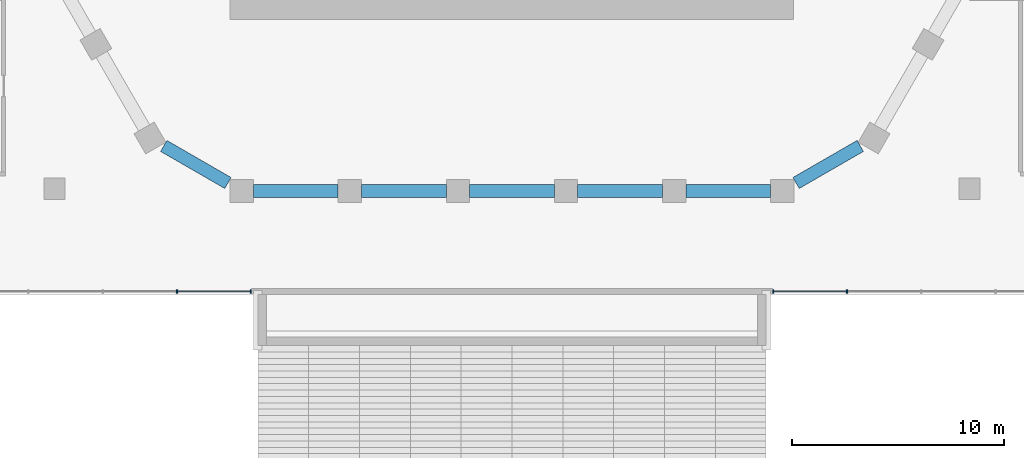
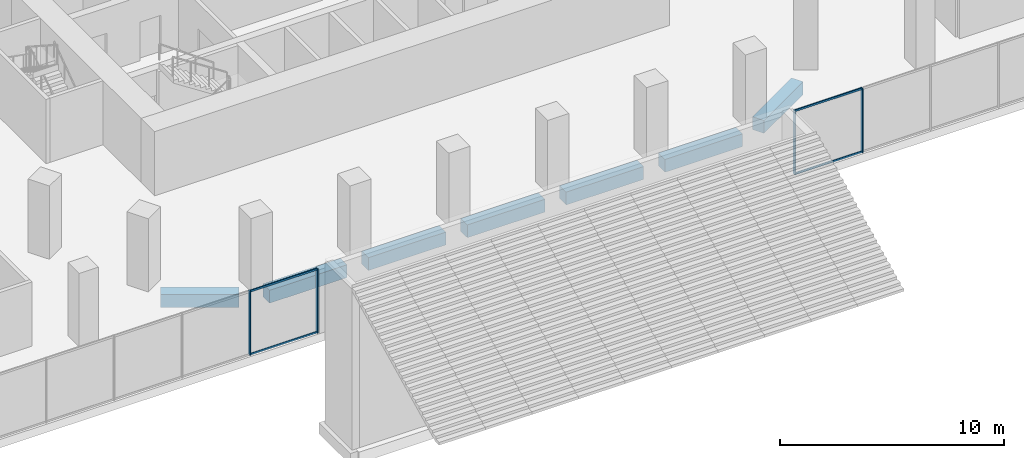
# One storey, part 5 of 45: 8 members, 7 beams, 2 elements without a shape of their own.
"""IFC4 building model written with IfcOpenShell, lengths in metres."""

from ifc_helpers import new_model, si_unit, direction, frame, origin, origin_2d, place, context, subcontext, project, spatial, rectangle, hollow_rectangle, extrude, material, material_profile, profile_set, type_object, element, aggregate, save


model = new_model("IFC4")

# Units and contexts
model_context = context("Model", 3, precision=1e-05, world=origin(), true_north=direction((0.0, 1.0)))
body_context = subcontext(model_context, "Body", "Model", "MODEL_VIEW")
ifc_project = project(units=[si_unit("LENGTHUNIT", "METRE"), si_unit("AREAUNIT", "SQUARE_METRE"), si_unit("VOLUMEUNIT", "CUBIC_METRE"), si_unit("PLANEANGLEUNIT", "RADIAN"), si_unit("MASSUNIT", "GRAM", prefix="KILO")], contexts=[model_context])

# Site, building, storey
site_placement = place(None, origin())
site = spatial("IfcSite", under=ifc_project, at=site_placement, CompositionType="ELEMENT")
building_placement = place(site_placement, origin())
building = spatial("IfcBuilding", under=site, at=building_placement, Name="Beryl Residences", CompositionType="ELEMENT")
storey_placement = place(building_placement, frame((0.0, 0.0, 5.0)))
storey = spatial("IfcBuildingStorey", under=building, at=storey_placement, Name="L01", CompositionType="ELEMENT", Elevation=5.0)

# Curtain wall, members
ifc_material_1 = material(Name="Aluminium and clear glass", Category="aluminium")
curtain_wall_type = type_object("IfcCurtainWallType", Name="CW1 shopfront glazed wall", PredefinedType="NOTDEFINED", material=ifc_material_1)
curtain_wall_1_placement = place(storey_placement, origin())
curtain_wall_1 = element("IfcCurtainWall", 1, at=curtain_wall_1_placement, inside=storey, type_object=curtain_wall_type, Name="CW1 L01 S", PredefinedType="NOTDEFINED")
ifc_material_2 = material(Name="Aluminium", Category="aluminium")
ifc_material_profile_1 = material_profile(ifc_material_2, rectangle(XDim=0.06005859375, YDim=0.14990234375, at=origin_2d()))
ifc_profile_set_1 = profile_set([ifc_material_profile_1], Name="Aluminium")
member_type_1 = type_object("IfcMemberType", Name="CW1-M mullion 60 x 150 mm", PredefinedType="MULLION", material=ifc_profile_set_1)
member_1_placement = place(storey_placement, frame((-15.81005859375, -31.85009765625, 0.0), z_axis=(0.0, 0.0, 1.0), x_axis=(1.0, 0.0, 0.0)))
member_1 = element("IfcMember", 2, at=member_1_placement, type_object=member_type_1, Name="CW1 mullion 10", PredefinedType="MULLION", context=body_context, shape_type="SweptSolid", body=[
    extrude(rectangle(XDim=0.06005859375, YDim=0.14990234375, at=origin_2d()), origin(), (0.0, 0.0, 1.0), 3.5),
])
member_2_placement = place(storey_placement, frame((-12.330078125, -31.85009765625, 0.0), z_axis=(0.0, 0.0, 1.0), x_axis=(1.0, 0.0, 0.0)))
member_2 = element("IfcMember", 3, at=member_2_placement, type_object=member_type_1, Name="CW1 mullion 11", PredefinedType="MULLION", context=body_context, shape_type="SweptSolid", body=[
    extrude(rectangle(XDim=0.06005859375, YDim=0.14990234375, at=origin_2d()), origin(), (0.0, 0.0, 1.0), 3.5),
])

curtain_wall_2_placement = place(storey_placement, origin())
curtain_wall_2 = element("IfcCurtainWall", 4, at=curtain_wall_2_placement, inside=storey, type_object=curtain_wall_type, Name="CW1 L01 S", PredefinedType="NOTDEFINED")
member_3_placement = place(storey_placement, frame((12.330078125, -31.85009765625, 0.0), z_axis=(0.0, 0.0, 1.0), x_axis=(1.0, 0.0, 0.0)))
member_3 = element("IfcMember", 5, at=member_3_placement, type_object=member_type_1, Name="CW1 mullion 1", PredefinedType="MULLION", context=body_context, shape_type="SweptSolid", body=[
    extrude(rectangle(XDim=0.06005859375, YDim=0.14990234375, at=origin_2d()), origin(), (0.0, 0.0, 1.0), 3.5),
])
member_4_placement = place(storey_placement, frame((15.81005859375, -31.85009765625, 0.0), z_axis=(0.0, 0.0, 1.0), x_axis=(1.0, 0.0, 0.0)))
member_4 = element("IfcMember", 6, at=member_4_placement, type_object=member_type_1, Name="CW1 mullion 2", PredefinedType="MULLION", context=body_context, shape_type="SweptSolid", body=[
    extrude(rectangle(XDim=0.06005859375, YDim=0.14990234375, at=origin_2d()), origin(), (0.0, 0.0, 1.0), 3.5),
])

# Member
ifc_material_3 = material(Name="Aluminium", Category="aluminium")
ifc_material_profile_2 = material_profile(ifc_material_3, hollow_rectangle(XDim=0.06005859375, YDim=0.10009765625, WallThickness=0.00390625, at=origin_2d()))
ifc_profile_set_2 = profile_set([ifc_material_profile_2], Name="Aluminium")
member_type_2 = type_object("IfcMemberType", Name="CW1-T transom 60 x 100 mm", PredefinedType="USERDEFINED", material=ifc_profile_set_2)
member_5_placement = place(storey_placement, frame((-15.780029296875, -31.85009765625, 0.030029296875), z_axis=(1.0, 0.0, 0.0), x_axis=(0.0, 1.0, 0.0)))
member_5 = element("IfcMember", 7, at=member_5_placement, type_object=member_type_2, Name="CW1 transom 10.1", ObjectType="TRANSOM", PredefinedType="USERDEFINED", context=body_context, shape_type="SweptSolid", body=[
    extrude(hollow_rectangle(XDim=0.06005859375, YDim=0.10009765625, WallThickness=0.00390625, at=origin_2d()), origin(), (0.0, 0.0, 1.0), 3.419921875),
])

member_6_placement = place(storey_placement, frame((-15.780029296875, -31.85009765625, 3.469970703125), z_axis=(1.0, 0.0, 0.0), x_axis=(0.0, 1.0, 0.0)))
member_6 = element("IfcMember", 8, at=member_6_placement, type_object=member_type_2, Name="CW1 transom 10.2", ObjectType="TRANSOM", PredefinedType="USERDEFINED", context=body_context, shape_type="SweptSolid", body=[
    extrude(hollow_rectangle(XDim=0.06005859375, YDim=0.10009765625, WallThickness=0.00390625, at=origin_2d()), origin(), (0.0, 0.0, 1.0), 3.419921875),
])

aggregate(curtain_wall_1, [member_1, member_2, member_5, member_6])

member_7_placement = place(storey_placement, frame((12.360107421875, -31.85009765625, 0.030029296875), z_axis=(1.0, 0.0, 0.0), x_axis=(0.0, 1.0, 0.0)))
member_7 = element("IfcMember", 9, at=member_7_placement, type_object=member_type_2, Name="CW1 transom 1.1", ObjectType="TRANSOM", PredefinedType="USERDEFINED", context=body_context, shape_type="SweptSolid", body=[
    extrude(hollow_rectangle(XDim=0.06005859375, YDim=0.10009765625, WallThickness=0.00390625, at=origin_2d()), origin(), (0.0, 0.0, 1.0), 3.419921875),
])

member_8_placement = place(storey_placement, frame((12.360107421875, -31.85009765625, 3.469970703125), z_axis=(1.0, 0.0, 0.0), x_axis=(0.0, 1.0, 0.0)))
member_8 = element("IfcMember", 10, at=member_8_placement, type_object=member_type_2, Name="CW1 transom 1.2", ObjectType="TRANSOM", PredefinedType="USERDEFINED", context=body_context, shape_type="SweptSolid", body=[
    extrude(hollow_rectangle(XDim=0.06005859375, YDim=0.10009765625, WallThickness=0.00390625, at=origin_2d()), origin(), (0.0, 0.0, 1.0), 3.419921875),
])

aggregate(curtain_wall_2, [member_3, member_4, member_7, member_8])

# Beams
ifc_material_4 = material(Name="Concrete C80/95", Category="concrete")
ifc_material_profile_3 = material_profile(ifc_material_4, rectangle(XDim=0.60009765625, YDim=0.699951171875, at=origin_2d()))
ifc_profile_set_3 = profile_set([ifc_material_profile_3], Name="Concrete C80/95")
beam_type = type_object("IfcBeamType", Name="SB1 spandrel beam 600 x 700 C80/95", PredefinedType="SPANDREL", material=ifc_profile_set_3)
beam_1_placement = place(storey_placement, frame((-16.43896484375, -24.97607421875, -0.800048828125), z_axis=(0.866070549782, -0.499921796684, 0.0), x_axis=(0.499921796684, 0.866070549782, 0.0)))
element("IfcBeam", 11, at=beam_1_placement, inside=storey, type_object=beam_type, Name="SB1 L01 SW-5", PredefinedType="SPANDREL", context=body_context, shape_type="SweptSolid", body=[
    extrude(rectangle(XDim=0.60009765625, YDim=0.699951171875, at=origin_2d()), origin(), (0.0, 0.0, 1.0), 3.49853515625),
])
for number, where, z_axis, x_axis, name in (
    (12, (-12.208984375, -27.10009765625, -0.800048828125), (1.0, 0.0, 0.0), (0.0, 1.0, 0.0), "SB1 L01 S-0"),
    (13, (-7.10498046875, -27.10009765625, -0.800048828125), (1.0, 0.0, 0.0), (0.0, 1.0, 0.0), "SB1 L01 S-1"),
    (14, (-2.0009765625, -27.10009765625, -0.800048828125), (1.0, 0.0, 0.0), (0.0, 1.0, 0.0), "SB1 L01 S-2"),
    (15, (3.10302734375, -27.10009765625, -0.800048828125), (1.0, 0.0, 0.0), (0.0, 1.0, 0.0), "SB1 L01 S-3"),
    (16, (8.20703125, -27.10009765625, -0.800048828125), (1.0, 0.0, 0.0), (0.0, 1.0, 0.0), "SB1 L01 S-4"),
):
    element("IfcBeam", number, at=place(storey_placement, frame(where, z_axis=z_axis, x_axis=x_axis)), inside=storey, type_object=beam_type, Name=name, PredefinedType="SPANDREL", context=body_context, shape_type="SweptSolid", body=[
        extrude(rectangle(XDim=0.60009765625, YDim=0.699951171875, at=origin_2d()), origin(), (0.0, 0.0, 1.0), 4.00390625),
    ])
beam_2_placement = place(storey_placement, frame((13.410888671875, -26.72412109375, -0.800048828125), z_axis=(0.866121658299, 0.499833245218, 0.0), x_axis=(-0.499833245218, 0.866121658299, 0.0)))
element("IfcBeam", 17, at=beam_2_placement, inside=storey, type_object=beam_type, Name="SB1 L01 S-5", PredefinedType="SPANDREL", context=body_context, shape_type="SweptSolid", body=[
    extrude(rectangle(XDim=0.60009765625, YDim=0.699951171875, at=origin_2d()), origin(), (0.0, 0.0, 1.0), 3.497314453125),
])

save(model, "model.ifc")
